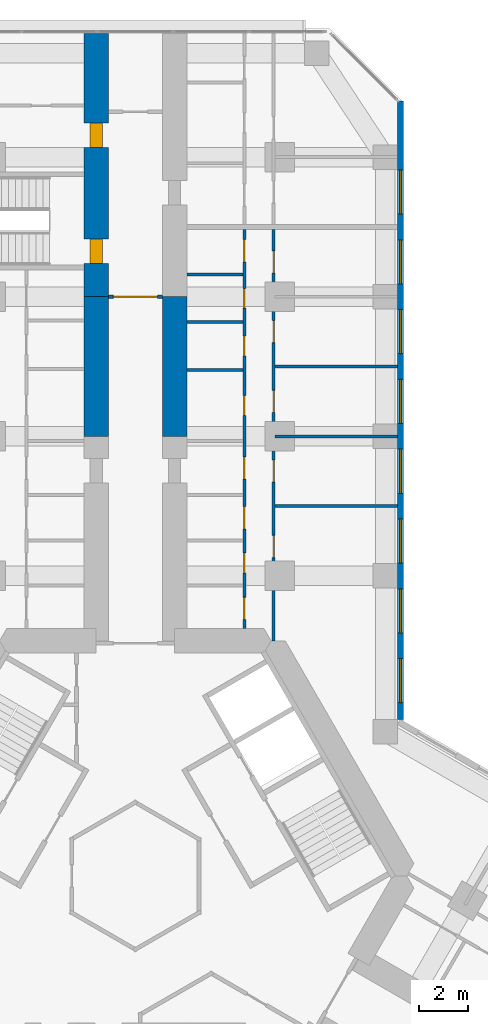
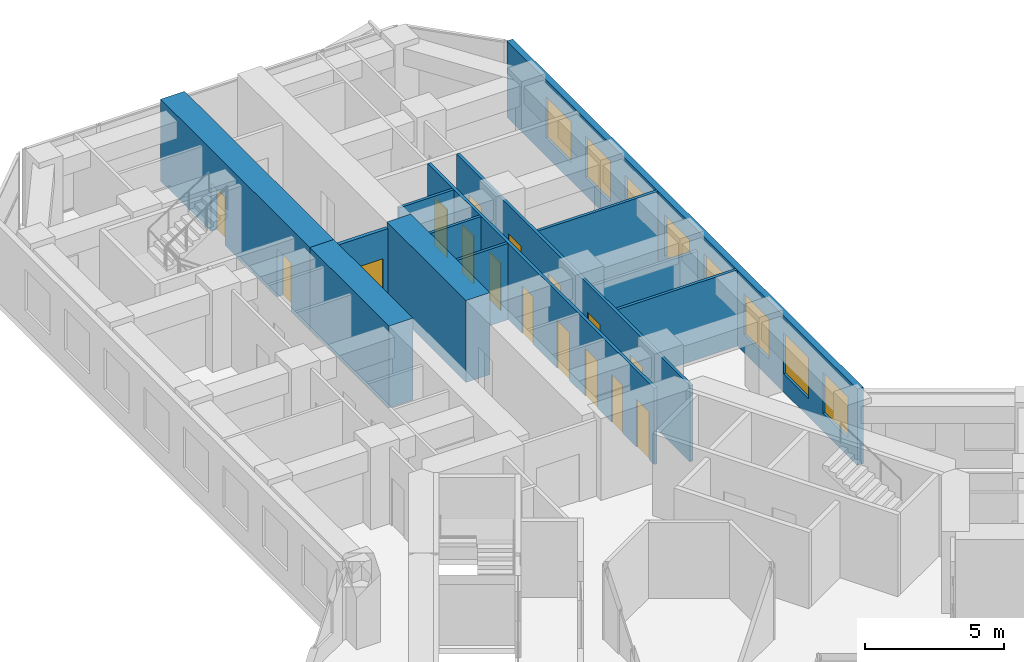
# One storey, part 18 of 21: 16 doors, 13 walls, 8 windows, 24 openings.
"""IFC4 building model written with IfcOpenShell, lengths in metres."""

from ifc_helpers import new_model, si_unit, direction, frame, frame_2d, origin, place, context, subcontext, project, spatial, rectangle, extrude, material, layer, layer_set, type_object, element, fill, save


model = new_model("IFC4")

# Units and contexts
model_context = context("Model", 3, precision=1e-05, world=origin(), true_north=direction((0.0, 1.0)))
body_context = subcontext(model_context, "Body", "Model", "MODEL_VIEW")
ifc_project = project(units=[si_unit("LENGTHUNIT", "METRE"), si_unit("AREAUNIT", "SQUARE_METRE"), si_unit("VOLUMEUNIT", "CUBIC_METRE"), si_unit("PLANEANGLEUNIT", "RADIAN"), si_unit("MASSUNIT", "GRAM", prefix="KILO")], contexts=[model_context])

# Site, building, storey
site_placement = place(None, origin())
site = spatial("IfcSite", under=ifc_project, at=site_placement, CompositionType="ELEMENT")
building_placement = place(site_placement, origin())
building = spatial("IfcBuilding", under=site, at=building_placement, Name="Kosmar Iwan School Tower", CompositionType="ELEMENT")
storey_placement = place(building_placement, frame((0.0, 0.0, 50.199951171875)))
storey = spatial("IfcBuildingStorey", under=building, at=storey_placement, Name="L11", CompositionType="ELEMENT", Elevation=50.199951171875)

# Wall
ifc_material_1 = material(Name="Concrete C50/60", Category="concrete")
ifc_layer_1 = layer(ifc_material_1, 1.0)
ifc_layer_set_1 = layer_set([ifc_layer_1], Name="Corridor buttress wall 1000")
wall_type_1 = type_object("IfcWallType", Name="Corridor buttress wall 1000", PredefinedType="SHEAR", material=ifc_layer_set_1)
wall_1_placement = place(storey_placement, frame((-1.60009765625, 17.949951171875, 0.0), z_axis=(0.0, 0.0, 1.0), x_axis=(0.0, 1.0, 0.0)))
element("IfcWall", 1, at=wall_1_placement, inside=storey, type_object=wall_type_1, Name="Corridor wall AL bay 2", PredefinedType="SHEAR", context=body_context, shape_type="SweptSolid", body=[
    extrude(rectangle(XDim=5.699951171875, YDim=1.0, at=frame_2d((2.85009765625, 0.0))), origin(), (0.0, 0.0, 1.0), 3.60009765625),
])

# Wall, openings, doors
wall_2_placement = place(storey_placement, frame((-1.60009765625, 23.64990234375, 0.0), z_axis=(0.0, 0.0, 1.0), x_axis=(0.0, 1.0, 0.0)))
wall_2 = element("IfcWall", 2, at=wall_2_placement, inside=storey, type_object=wall_type_1, Name="Corridor wall AL bay 3", PredefinedType="SHEAR", context=body_context, shape_type="SweptSolid", body=[
    extrude(rectangle(XDim=10.7451171875, YDim=1.0, at=frame_2d((5.37255859375, 0.0))), origin(), (0.0, 0.0, 1.0), 3.60009765625),
])
opening_1_placement = place(wall_2_placement, frame((6.10009765625, 0.0, 0.0)))
opening_1 = element("IfcOpeningElement", 3, at=opening_1_placement, cuts=wall_2, Name="Opening D1", PredefinedType="OPENING", context=body_context, shape_type="SweptSolid", body=[
    extrude(rectangle(XDim=1.0, YDim=2.10009765625, at=frame_2d((0.5, 1.050048828125))), frame((0.0, 0.511962890625, 0.0), z_axis=(0.0, -1.0, 0.0), x_axis=(1.0, 0.0, 0.0)), (0.0, 0.0, 1.0), 1.02392578125),
])
opening_2_placement = place(wall_2_placement, frame((1.35009765625, 0.0, 0.0)))
opening_2 = element("IfcOpeningElement", 4, at=opening_2_placement, cuts=wall_2, Name="Opening D6", PredefinedType="OPENING", context=body_context, shape_type="SweptSolid", body=[
    extrude(rectangle(XDim=1.0, YDim=2.10009765625, at=frame_2d((0.5, 1.050048828125))), frame((0.0, 0.511962890625, 0.0), z_axis=(0.0, -1.0, 0.0), x_axis=(1.0, 0.0, 0.0)), (0.0, 0.0, 1.0), 1.02392578125),
])
ifc_material_2 = material(Name="Timber fire door in steel frame", Category="steel")
door_type_1 = type_object("IfcDoorType", Name="Flat entrance door 1000x2100", OperationType="SINGLE_SWING_LEFT", PredefinedType="DOOR", material=ifc_material_2)
door_1_placement = place(opening_1_placement, origin())
door_1 = element("IfcDoor", 5, at=door_1_placement, inside=storey, type_object=door_type_1, Name="Flat L11-AL2 entrance door", OperationType="SINGLE_SWING_RIGHT", OverallHeight=2.10009765625, OverallWidth=1.0, PredefinedType="DOOR", context=body_context, shape_type="SweptSolid", body=[
    extrude(rectangle(XDim=1.0, YDim=2.10009765625, at=frame_2d((0.5, 1.050048828125))), frame((0.0, 0.25, 0.0), z_axis=(0.0, -1.0, 0.0), x_axis=(1.0, 0.0, 0.0)), (0.0, 0.0, 1.0), 0.5),
])
fill(opening_1, door_1)
ifc_material_3 = material(Name="Steel fire door", Category="steel")
door_type_2 = type_object("IfcDoorType", Name="Stair door 1000x2100", OperationType="SINGLE_SWING_LEFT", PredefinedType="DOOR", material=ifc_material_3)
door_2_placement = place(opening_2_placement, origin())
door_2 = element("IfcDoor", 6, at=door_2_placement, inside=storey, type_object=door_type_2, Name="Stair WS1 door L11", OperationType="SINGLE_SWING_LEFT", OverallHeight=2.10009765625, OverallWidth=1.0, PredefinedType="DOOR", context=body_context, shape_type="SweptSolid", body=[
    extrude(rectangle(XDim=1.0, YDim=2.10009765625, at=frame_2d((0.5, 1.050048828125))), frame((0.0, 0.25, 0.0), z_axis=(0.0, -1.0, 0.0), x_axis=(1.0, 0.0, 0.0)), (0.0, 0.0, 1.0), 0.5),
])
fill(opening_2, door_2)

# Wall
wall_3_placement = place(storey_placement, frame((1.60009765625, 17.949951171875, 0.0), z_axis=(0.0, 0.0, 1.0), x_axis=(0.0, 1.0, 0.0)))
element("IfcWall", 7, at=wall_3_placement, inside=storey, type_object=wall_type_1, Name="Corridor wall AR bay 2", PredefinedType="SHEAR", context=body_context, shape_type="SweptSolid", body=[
    extrude(rectangle(XDim=5.699951171875, YDim=1.0, at=frame_2d((2.85009765625, 0.0))), origin(), (0.0, 0.0, 1.0), 3.60009765625),
])

# Wall, opening, door
ifc_material_4 = material(Name="Gypsum board on steel studs, fire-rated", Category="steel")
ifc_layer_2 = layer(ifc_material_4, 0.14990234375)
ifc_layer_set_2 = layer_set([ifc_layer_2], Name="Corridor end wall 150")
wall_type_2 = type_object("IfcWallType", Name="Corridor end wall 150", PredefinedType="PARTITIONING", material=ifc_layer_set_2)
wall_4_placement = place(storey_placement, frame((1.10009765625, 23.64990234375, 0.0), z_axis=(0.0, 0.0, 1.0), x_axis=(-1.0, 0.0, 0.0)))
wall_4 = element("IfcWall", 8, at=wall_4_placement, inside=storey, type_object=wall_type_2, Name="Partition L11-A-HW", PredefinedType="PARTITIONING", context=body_context, shape_type="SweptSolid", body=[
    extrude(rectangle(XDim=2.2001953125, YDim=0.14990234375, at=frame_2d((1.10009765625, 0.0))), origin(), (0.0, 0.0, 1.0), 3.35009765625),
])
opening_3_placement = place(wall_4_placement, frame((0.199951171875, 0.0, 0.0)))
opening_3 = element("IfcOpeningElement", 9, at=opening_3_placement, cuts=wall_4, Name="Opening D9", PredefinedType="OPENING", context=body_context, shape_type="SweptSolid", body=[
    extrude(rectangle(XDim=1.800048828125, YDim=2.10009765625, at=frame_2d((0.89990234375, 1.050048828125))), frame((0.0, 0.0869140625, 0.0), z_axis=(0.0, -1.0, 0.0), x_axis=(1.0, 0.0, 0.0)), (0.0, 0.0, 1.0), 0.173828125),
])
ifc_material_5 = material(Name="Steel framed glazed smoke door", Category="steel")
door_type_3 = type_object("IfcDoorType", Name="Corridor smoke door pair 1800x2100", OperationType="DOUBLE_DOOR_DOUBLE_SWING", PredefinedType="DOOR", material=ifc_material_5)
door_3_placement = place(opening_3_placement, origin())
door_3 = element("IfcDoor", 10, at=door_3_placement, inside=storey, type_object=door_type_3, Name="Entrance vestibule smoke doors L11-A", OperationType="DOUBLE_DOOR_DOUBLE_SWING", OverallHeight=2.10009765625, OverallWidth=1.800048828125, PredefinedType="DOOR", context=body_context, shape_type="SweptSolid", body=[
    extrude(rectangle(XDim=1.800048828125, YDim=2.10009765625, at=frame_2d((0.89990234375, 1.050048828125))), frame((0.0, 0.02490234375, 0.0), z_axis=(0.0, -1.0, 0.0), x_axis=(1.0, 0.0, 0.0)), (0.0, 0.0, 1.0), 0.050048828125),
])
fill(opening_3, door_3)

# Wall, openings, doors
ifc_material_6 = material(Name="Gypsum board on steel studs", Category="steel")
ifc_layer_3 = layer(ifc_material_6, 0.1201171875)
ifc_layer_set_3 = layer_set([ifc_layer_3], Name="Dwelling partition 120")
wall_type_3 = type_object("IfcWallType", Name="Dwelling partition 120", PredefinedType="PARTITIONING", material=ifc_layer_set_3)
wall_5_placement = place(storey_placement, frame((4.449951171875, 10.10009765625, 0.0), z_axis=(0.0, 0.0, 1.0), x_axis=(0.0, 1.0, 0.0)))
wall_5 = element("IfcWall", 11, at=wall_5_placement, inside=storey, type_object=wall_type_3, Name="Partition L11-AR1-W1", PredefinedType="PARTITIONING", context=body_context, shape_type="SweptSolid", body=[
    extrude(rectangle(XDim=16.2998046875, YDim=0.1201171875, at=frame_2d((8.14990234375, 0.0))), origin(), (0.0, 0.0, 1.0), 3.35009765625),
])
opening_4_placement = place(wall_5_placement, frame((0.375, 0.0, 0.0)))
opening_4 = element("IfcOpeningElement", 12, at=opening_4_placement, cuts=wall_5, Name="Opening D2", PredefinedType="OPENING", context=body_context, shape_type="SweptSolid", body=[
    extrude(rectangle(XDim=0.89990234375, YDim=2.10009765625, at=frame_2d((0.449951171875, 1.050048828125))), frame((0.0, 0.072021484375, 0.0), z_axis=(0.0, -1.0, 0.0), x_axis=(1.0, 0.0, 0.0)), (0.0, 0.0, 1.0), 0.14404296875),
])
opening_5_placement = place(wall_5_placement, frame((2.27490234375, 0.0, 0.0)))
opening_5 = element("IfcOpeningElement", 13, at=opening_5_placement, cuts=wall_5, Name="Opening D3", PredefinedType="OPENING", context=body_context, shape_type="SweptSolid", body=[
    extrude(rectangle(XDim=0.800048828125, YDim=2.10009765625, at=frame_2d((0.39990234375, 1.050048828125))), frame((0.0, 0.072021484375, 0.0), z_axis=(0.0, -1.0, 0.0), x_axis=(1.0, 0.0, 0.0)), (0.0, 0.0, 1.0), 0.14404296875),
])
opening_6_placement = place(wall_5_placement, frame((4.074951171875, 0.0, 0.0)))
opening_6 = element("IfcOpeningElement", 14, at=opening_6_placement, cuts=wall_5, Name="Opening D2", PredefinedType="OPENING", context=body_context, shape_type="SweptSolid", body=[
    extrude(rectangle(XDim=0.89990234375, YDim=2.10009765625, at=frame_2d((0.449951171875, 1.050048828125))), frame((0.0, 0.072021484375, 0.0), z_axis=(0.0, -1.0, 0.0), x_axis=(1.0, 0.0, 0.0)), (0.0, 0.0, 1.0), 0.14404296875),
])
opening_7_placement = place(wall_5_placement, frame((6.10009765625, 0.0, 0.0)))
opening_7 = element("IfcOpeningElement", 15, at=opening_7_placement, cuts=wall_5, Name="Opening D2", PredefinedType="OPENING", context=body_context, shape_type="SweptSolid", body=[
    extrude(rectangle(XDim=0.89990234375, YDim=2.10009765625, at=frame_2d((0.449951171875, 1.050048828125))), frame((0.0, 0.072021484375, 0.0), z_axis=(0.0, -1.0, 0.0), x_axis=(1.0, 0.0, 0.0)), (0.0, 0.0, 1.0), 0.14404296875),
])
opening_8_placement = place(wall_5_placement, frame((8.708251953125, 0.0, 0.0)))
opening_8 = element("IfcOpeningElement", 16, at=opening_8_placement, cuts=wall_5, Name="Opening D3", PredefinedType="OPENING", context=body_context, shape_type="SweptSolid", body=[
    extrude(rectangle(XDim=0.800048828125, YDim=2.10009765625, at=frame_2d((0.39990234375, 1.050048828125))), frame((0.0, 0.072021484375, 0.0), z_axis=(0.0, -1.0, 0.0), x_axis=(1.0, 0.0, 0.0)), (0.0, 0.0, 1.0), 0.14404296875),
])
opening_9_placement = place(wall_5_placement, frame((11.138916015625, 0.0, 0.0)))
opening_9 = element("IfcOpeningElement", 17, at=opening_9_placement, cuts=wall_5, Name="Opening D3", PredefinedType="OPENING", context=body_context, shape_type="SweptSolid", body=[
    extrude(rectangle(XDim=0.800048828125, YDim=2.10009765625, at=frame_2d((0.39990234375, 1.050048828125))), frame((0.0, 0.072021484375, 0.0), z_axis=(0.0, -1.0, 0.0), x_axis=(1.0, 0.0, 0.0)), (0.0, 0.0, 1.0), 0.14404296875),
])
opening_10_placement = place(wall_5_placement, frame((13.083251953125, 0.0, 0.0)))
opening_10 = element("IfcOpeningElement", 18, at=opening_10_placement, cuts=wall_5, Name="Opening D3", PredefinedType="OPENING", context=body_context, shape_type="SweptSolid", body=[
    extrude(rectangle(XDim=0.800048828125, YDim=2.10009765625, at=frame_2d((0.39990234375, 1.050048828125))), frame((0.0, 0.072021484375, 0.0), z_axis=(0.0, -1.0, 0.0), x_axis=(1.0, 0.0, 0.0)), (0.0, 0.0, 1.0), 0.14404296875),
])
opening_11_placement = place(wall_5_placement, frame((14.977783203125, 0.0, 0.0)))
opening_11 = element("IfcOpeningElement", 19, at=opening_11_placement, cuts=wall_5, Name="Opening D2", PredefinedType="OPENING", context=body_context, shape_type="SweptSolid", body=[
    extrude(rectangle(XDim=0.89990234375, YDim=2.10009765625, at=frame_2d((0.449951171875, 1.050048828125))), frame((0.0, 0.072021484375, 0.0), z_axis=(0.0, -1.0, 0.0), x_axis=(1.0, 0.0, 0.0)), (0.0, 0.0, 1.0), 0.14404296875),
])
ifc_material_7 = material(Name="Timber door in timber frame", Category="wood")
door_type_4 = type_object("IfcDoorType", Name="Internal door 900x2100", OperationType="SINGLE_SWING_LEFT", PredefinedType="DOOR", material=ifc_material_7)
door_4_placement = place(opening_4_placement, origin())
door_4 = element("IfcDoor", 20, at=door_4_placement, inside=storey, type_object=door_type_4, Name="Dressing room door L11-AR1-S1", OperationType="SINGLE_SWING_LEFT", OverallHeight=2.10009765625, OverallWidth=0.89990234375, PredefinedType="DOOR", context=body_context, shape_type="SweptSolid", body=[
    extrude(rectangle(XDim=0.89990234375, YDim=2.10009765625, at=frame_2d((0.449951171875, 1.050048828125))), frame((0.0, 0.02490234375, 0.0), z_axis=(0.0, -1.0, 0.0), x_axis=(1.0, 0.0, 0.0)), (0.0, 0.0, 1.0), 0.050048828125),
])
fill(opening_4, door_4)
door_5_placement = place(opening_6_placement, origin())
door_5 = element("IfcDoor", 21, at=door_5_placement, inside=storey, type_object=door_type_4, Name="Pantry door L11-AR1-S3", OperationType="SINGLE_SWING_LEFT", OverallHeight=2.10009765625, OverallWidth=0.89990234375, PredefinedType="DOOR", context=body_context, shape_type="SweptSolid", body=[
    extrude(rectangle(XDim=0.89990234375, YDim=2.10009765625, at=frame_2d((0.449951171875, 1.050048828125))), frame((0.0, 0.02490234375, 0.0), z_axis=(0.0, -1.0, 0.0), x_axis=(1.0, 0.0, 0.0)), (0.0, 0.0, 1.0), 0.050048828125),
])
fill(opening_6, door_5)
door_6_placement = place(opening_7_placement, origin())
door_6 = element("IfcDoor", 22, at=door_6_placement, inside=storey, type_object=door_type_4, Name="Entrance hall door L11-AR1-S4", OperationType="SINGLE_SWING_RIGHT", OverallHeight=2.10009765625, OverallWidth=0.89990234375, PredefinedType="DOOR", context=body_context, shape_type="SweptSolid", body=[
    extrude(rectangle(XDim=0.89990234375, YDim=2.10009765625, at=frame_2d((0.449951171875, 1.050048828125))), frame((0.0, 0.02490234375, 0.0), z_axis=(0.0, -1.0, 0.0), x_axis=(1.0, 0.0, 0.0)), (0.0, 0.0, 1.0), 0.050048828125),
])
fill(opening_7, door_6)
door_7_placement = place(opening_11_placement, origin())
door_7 = element("IfcDoor", 23, at=door_7_placement, inside=storey, type_object=door_type_4, Name="Utility room door L11-AR1-S8", OperationType="SINGLE_SWING_RIGHT", OverallHeight=2.10009765625, OverallWidth=0.89990234375, PredefinedType="DOOR", context=body_context, shape_type="SweptSolid", body=[
    extrude(rectangle(XDim=0.89990234375, YDim=2.10009765625, at=frame_2d((0.449951171875, 1.050048828125))), frame((0.0, 0.02490234375, 0.0), z_axis=(0.0, -1.0, 0.0), x_axis=(1.0, 0.0, 0.0)), (0.0, 0.0, 1.0), 0.050048828125),
])
fill(opening_11, door_7)
ifc_material_8 = material(Name="Timber door in timber frame", Category="wood")
door_type_5 = type_object("IfcDoorType", Name="Sanitary room door 800x2100", OperationType="SINGLE_SWING_LEFT", PredefinedType="DOOR", material=ifc_material_8)
door_8_placement = place(opening_5_placement, origin())
door_8 = element("IfcDoor", 24, at=door_8_placement, inside=storey, type_object=door_type_5, Name="Store door L11-AR1-S2", OperationType="SINGLE_SWING_RIGHT", OverallHeight=2.10009765625, OverallWidth=0.800048828125, PredefinedType="DOOR", context=body_context, shape_type="SweptSolid", body=[
    extrude(rectangle(XDim=0.800048828125, YDim=2.10009765625, at=frame_2d((0.39990234375, 1.050048828125))), frame((0.0, 0.02490234375, 0.0), z_axis=(0.0, -1.0, 0.0), x_axis=(1.0, 0.0, 0.0)), (0.0, 0.0, 1.0), 0.050048828125),
])
fill(opening_5, door_8)
door_9_placement = place(opening_8_placement, origin())
door_9 = element("IfcDoor", 25, at=door_9_placement, inside=storey, type_object=door_type_5, Name="Bathroom door L11-AR1-S5", OperationType="SINGLE_SWING_LEFT", OverallHeight=2.10009765625, OverallWidth=0.800048828125, PredefinedType="DOOR", context=body_context, shape_type="SweptSolid", body=[
    extrude(rectangle(XDim=0.800048828125, YDim=2.10009765625, at=frame_2d((0.39990234375, 1.050048828125))), frame((0.0, 0.02490234375, 0.0), z_axis=(0.0, -1.0, 0.0), x_axis=(1.0, 0.0, 0.0)), (0.0, 0.0, 1.0), 0.050048828125),
])
fill(opening_8, door_9)
door_10_placement = place(opening_9_placement, origin())
door_10 = element("IfcDoor", 26, at=door_10_placement, inside=storey, type_object=door_type_5, Name="Shower room door L11-AR1-S6", OperationType="SINGLE_SWING_RIGHT", OverallHeight=2.10009765625, OverallWidth=0.800048828125, PredefinedType="DOOR", context=body_context, shape_type="SweptSolid", body=[
    extrude(rectangle(XDim=0.800048828125, YDim=2.10009765625, at=frame_2d((0.39990234375, 1.050048828125))), frame((0.0, 0.02490234375, 0.0), z_axis=(0.0, -1.0, 0.0), x_axis=(1.0, 0.0, 0.0)), (0.0, 0.0, 1.0), 0.050048828125),
])
fill(opening_9, door_10)
door_11_placement = place(opening_10_placement, origin())
door_11 = element("IfcDoor", 27, at=door_11_placement, inside=storey, type_object=door_type_5, Name="WC door L11-AR1-S7", OperationType="SINGLE_SWING_LEFT", OverallHeight=2.10009765625, OverallWidth=0.800048828125, PredefinedType="DOOR", context=body_context, shape_type="SweptSolid", body=[
    extrude(rectangle(XDim=0.800048828125, YDim=2.10009765625, at=frame_2d((0.39990234375, 1.050048828125))), frame((0.0, 0.02490234375, 0.0), z_axis=(0.0, -1.0, 0.0), x_axis=(1.0, 0.0, 0.0)), (0.0, 0.0, 1.0), 0.050048828125),
])
fill(opening_10, door_11)

wall_6_placement = place(storey_placement, frame((5.64990234375, 9.60009765625, 0.0), z_axis=(0.0, 0.0, 1.0), x_axis=(0.0, 1.0, 0.0)))
wall_6 = element("IfcWall", 28, at=wall_6_placement, inside=storey, type_object=wall_type_3, Name="Partition L11-AR1-W2", PredefinedType="PARTITIONING", context=body_context, shape_type="SweptSolid", body=[
    extrude(rectangle(XDim=16.7998046875, YDim=0.1201171875, at=frame_2d((8.39990234375, 0.0))), origin(), (0.0, 0.0, 1.0), 3.35009765625),
])
opening_12_placement = place(wall_6_placement, frame((3.39990234375, 0.0, 0.0)))
opening_12 = element("IfcOpeningElement", 29, at=opening_12_placement, cuts=wall_6, Name="Opening D2", PredefinedType="OPENING", context=body_context, shape_type="SweptSolid", body=[
    extrude(rectangle(XDim=0.89990234375, YDim=2.10009765625, at=frame_2d((0.449951171875, 1.050048828125))), frame((0.0, 0.072021484375, 0.0), z_axis=(0.0, -1.0, 0.0), x_axis=(1.0, 0.0, 0.0)), (0.0, 0.0, 1.0), 0.14404296875),
])
opening_13_placement = place(wall_6_placement, frame((6.47509765625, 0.0, 0.0)))
opening_13 = element("IfcOpeningElement", 30, at=opening_13_placement, cuts=wall_6, Name="Opening D2", PredefinedType="OPENING", context=body_context, shape_type="SweptSolid", body=[
    extrude(rectangle(XDim=0.89990234375, YDim=2.10009765625, at=frame_2d((0.449951171875, 1.050048828125))), frame((0.0, 0.072021484375, 0.0), z_axis=(0.0, -1.0, 0.0), x_axis=(1.0, 0.0, 0.0)), (0.0, 0.0, 1.0), 0.14404296875),
])
opening_14_placement = place(wall_6_placement, frame((9.324951171875, 0.0, 0.0)))
opening_14 = element("IfcOpeningElement", 31, at=opening_14_placement, cuts=wall_6, Name="Opening D2", PredefinedType="OPENING", context=body_context, shape_type="SweptSolid", body=[
    extrude(rectangle(XDim=0.89990234375, YDim=2.10009765625, at=frame_2d((0.449951171875, 1.050048828125))), frame((0.0, 0.072021484375, 0.0), z_axis=(0.0, -1.0, 0.0), x_axis=(1.0, 0.0, 0.0)), (0.0, 0.0, 1.0), 0.14404296875),
])
opening_15_placement = place(wall_6_placement, frame((12.175048828125, 0.0, 0.0)))
opening_15 = element("IfcOpeningElement", 32, at=opening_15_placement, cuts=wall_6, Name="Opening D2", PredefinedType="OPENING", context=body_context, shape_type="SweptSolid", body=[
    extrude(rectangle(XDim=0.89990234375, YDim=2.10009765625, at=frame_2d((0.449951171875, 1.050048828125))), frame((0.0, 0.072021484375, 0.0), z_axis=(0.0, -1.0, 0.0), x_axis=(1.0, 0.0, 0.0)), (0.0, 0.0, 1.0), 0.14404296875),
])
opening_16_placement = place(wall_6_placement, frame((15.02490234375, 0.0, 0.0)))
opening_16 = element("IfcOpeningElement", 33, at=opening_16_placement, cuts=wall_6, Name="Opening D2", PredefinedType="OPENING", context=body_context, shape_type="SweptSolid", body=[
    extrude(rectangle(XDim=0.89990234375, YDim=2.10009765625, at=frame_2d((0.449951171875, 1.050048828125))), frame((0.0, 0.072021484375, 0.0), z_axis=(0.0, -1.0, 0.0), x_axis=(1.0, 0.0, 0.0)), (0.0, 0.0, 1.0), 0.14404296875),
])
door_12_placement = place(opening_12_placement, origin())
door_12 = element("IfcDoor", 34, at=door_12_placement, inside=storey, type_object=door_type_4, Name="Living room and kitchen door L11-AR1-F1", OperationType="SINGLE_SWING_LEFT", OverallHeight=2.10009765625, OverallWidth=0.89990234375, PredefinedType="DOOR", context=body_context, shape_type="SweptSolid", body=[
    extrude(rectangle(XDim=0.89990234375, YDim=2.10009765625, at=frame_2d((0.449951171875, 1.050048828125))), frame((0.0, 0.02490234375, 0.0), z_axis=(0.0, -1.0, 0.0), x_axis=(1.0, 0.0, 0.0)), (0.0, 0.0, 1.0), 0.050048828125),
])
fill(opening_12, door_12)
door_13_placement = place(opening_13_placement, origin())
door_13 = element("IfcDoor", 35, at=door_13_placement, inside=storey, type_object=door_type_4, Name="Bedroom 1 door L11-AR1-F2", OperationType="SINGLE_SWING_LEFT", OverallHeight=2.10009765625, OverallWidth=0.89990234375, PredefinedType="DOOR", context=body_context, shape_type="SweptSolid", body=[
    extrude(rectangle(XDim=0.89990234375, YDim=2.10009765625, at=frame_2d((0.449951171875, 1.050048828125))), frame((0.0, 0.02490234375, 0.0), z_axis=(0.0, -1.0, 0.0), x_axis=(1.0, 0.0, 0.0)), (0.0, 0.0, 1.0), 0.050048828125),
])
fill(opening_13, door_13)
door_14_placement = place(opening_14_placement, origin())
door_14 = element("IfcDoor", 36, at=door_14_placement, inside=storey, type_object=door_type_4, Name="Bedroom 2 door L11-AR1-F3", OperationType="SINGLE_SWING_RIGHT", OverallHeight=2.10009765625, OverallWidth=0.89990234375, PredefinedType="DOOR", context=body_context, shape_type="SweptSolid", body=[
    extrude(rectangle(XDim=0.89990234375, YDim=2.10009765625, at=frame_2d((0.449951171875, 1.050048828125))), frame((0.0, 0.02490234375, 0.0), z_axis=(0.0, -1.0, 0.0), x_axis=(1.0, 0.0, 0.0)), (0.0, 0.0, 1.0), 0.050048828125),
])
fill(opening_14, door_14)
door_15_placement = place(opening_15_placement, origin())
door_15 = element("IfcDoor", 37, at=door_15_placement, inside=storey, type_object=door_type_4, Name="Bedroom 3 door L11-AR1-F4", OperationType="SINGLE_SWING_RIGHT", OverallHeight=2.10009765625, OverallWidth=0.89990234375, PredefinedType="DOOR", context=body_context, shape_type="SweptSolid", body=[
    extrude(rectangle(XDim=0.89990234375, YDim=2.10009765625, at=frame_2d((0.449951171875, 1.050048828125))), frame((0.0, 0.02490234375, 0.0), z_axis=(0.0, -1.0, 0.0), x_axis=(1.0, 0.0, 0.0)), (0.0, 0.0, 1.0), 0.050048828125),
])
fill(opening_15, door_15)
door_16_placement = place(opening_16_placement, origin())
door_16 = element("IfcDoor", 38, at=door_16_placement, inside=storey, type_object=door_type_4, Name="Bedroom 4 door L11-AR1-F5", OperationType="SINGLE_SWING_RIGHT", OverallHeight=2.10009765625, OverallWidth=0.89990234375, PredefinedType="DOOR", context=body_context, shape_type="SweptSolid", body=[
    extrude(rectangle(XDim=0.89990234375, YDim=2.10009765625, at=frame_2d((0.449951171875, 1.050048828125))), frame((0.0, 0.02490234375, 0.0), z_axis=(0.0, -1.0, 0.0), x_axis=(1.0, 0.0, 0.0)), (0.0, 0.0, 1.0), 0.050048828125),
])
fill(opening_16, door_16)

# Walls
wall_7_placement = place(storey_placement, frame((5.7099609375, 15.10009765625, 0.0), z_axis=(0.0, 0.0, 1.0), x_axis=(1.0, 0.0, 0.0)))
element("IfcWall", 39, at=wall_7_placement, inside=storey, type_object=wall_type_3, Name="Partition L11-AR1-X1", PredefinedType="PARTITIONING", context=body_context, shape_type="SweptSolid", body=[
    extrude(rectangle(XDim=4.989990234375, YDim=0.1201171875, at=frame_2d((2.4951171875, 0.0))), origin(), (0.0, 0.0, 1.0), 3.35009765625),
])
wall_8_placement = place(storey_placement, frame((5.7099609375, 17.949951171875, 0.0), z_axis=(0.0, 0.0, 1.0), x_axis=(1.0, 0.0, 0.0)))
element("IfcWall", 40, at=wall_8_placement, inside=storey, type_object=wall_type_3, Name="Partition L11-AR1-X2", PredefinedType="PARTITIONING", context=body_context, shape_type="SweptSolid", body=[
    extrude(rectangle(XDim=4.989990234375, YDim=0.1201171875, at=frame_2d((2.4951171875, 0.0))), origin(), (0.0, 0.0, 1.0), 2.449951171875),
])
wall_9_placement = place(storey_placement, frame((5.7099609375, 20.800048828125, 0.0), z_axis=(0.0, 0.0, 1.0), x_axis=(1.0, 0.0, 0.0)))
element("IfcWall", 41, at=wall_9_placement, inside=storey, type_object=wall_type_3, Name="Partition L11-AR1-X3", PredefinedType="PARTITIONING", context=body_context, shape_type="SweptSolid", body=[
    extrude(rectangle(XDim=4.989990234375, YDim=0.1201171875, at=frame_2d((2.4951171875, 0.0))), origin(), (0.0, 0.0, 1.0), 3.35009765625),
])
for number, where, z_axis, x_axis, name in (
    (42, (2.10009765625, 20.666748046875, 0.0), (0.0, 0.0, 1.0), (1.0, 0.0, 0.0), "Partition L11-AR1-Y5"),
    (43, (2.10009765625, 22.611083984375, 0.0), (0.0, 0.0, 1.0), (1.0, 0.0, 0.0), "Partition L11-AR1-Y6"),
    (44, (2.10009765625, 24.5556640625, 0.0), (0.0, 0.0, 1.0), (1.0, 0.0, 0.0), "Partition L11-AR1-Y7"),
):
    element("IfcWall", number, at=place(storey_placement, frame(where, z_axis=z_axis, x_axis=x_axis)), inside=storey, type_object=wall_type_3, Name=name, PredefinedType="PARTITIONING", context=body_context, shape_type="SweptSolid", body=[
        extrude(rectangle(XDim=2.289794921875, YDim=0.1201171875, at=frame_2d((1.14501953125, 0.0))), origin(), (0.0, 0.0, 1.0), 3.35009765625),
    ])

# Wall, openings, windows
ifc_material_9 = material(Name="Black aluminium rainscreen on insulated framing", Category="aluminium")
ifc_layer_4 = layer(ifc_material_9, 0.25)
ifc_layer_set_4 = layer_set([ifc_layer_4], Name="External wall rainscreen 250")
wall_type_4 = type_object("IfcWallType", Name="External wall rainscreen 250", PredefinedType="SOLIDWALL", material=ifc_layer_set_4)
wall_10_placement = place(storey_placement, frame((10.824951171875, 6.39404296875, 0.0), z_axis=(0.0, 0.0, 1.0), x_axis=(0.0, 1.0, 0.0)))
wall_10 = element("IfcWall", 45, at=wall_10_placement, inside=storey, type_object=wall_type_4, Name="External wall AR L11", PredefinedType="SOLIDWALL", context=body_context, shape_type="SweptSolid", body=[
    extrude(rectangle(XDim=25.2412109375, YDim=0.25, at=frame_2d((12.62060546875, 0.0))), origin(), (0.0, 0.0, 1.0), 3.35009765625),
])
opening_17_placement = place(wall_10_placement, frame((0.680908203125, 0.0, 0.800048828125)))
opening_17 = element("IfcOpeningElement", 46, at=opening_17_placement, cuts=wall_10, Name="Opening W1", PredefinedType="OPENING", context=body_context, shape_type="SweptSolid", body=[
    extrude(rectangle(XDim=1.800048828125, YDim=1.800048828125, at=frame_2d((0.89990234375, 0.89990234375))), frame((0.0, 0.136962890625, 0.0), z_axis=(0.0, -1.0, 0.0), x_axis=(1.0, 0.0, 0.0)), (0.0, 0.0, 1.0), 0.27392578125),
])
opening_18_placement = place(wall_10_placement, frame((3.53076171875, 0.0, 0.800048828125)))
opening_18 = element("IfcOpeningElement", 47, at=opening_18_placement, cuts=wall_10, Name="Opening W1", PredefinedType="OPENING", context=body_context, shape_type="SweptSolid", body=[
    extrude(rectangle(XDim=1.800048828125, YDim=1.800048828125, at=frame_2d((0.89990234375, 0.89990234375))), frame((0.0, 0.136962890625, 0.0), z_axis=(0.0, -1.0, 0.0), x_axis=(1.0, 0.0, 0.0)), (0.0, 0.0, 1.0), 0.27392578125),
])
opening_19_placement = place(wall_10_placement, frame((6.380859375, 0.0, 0.800048828125)))
opening_19 = element("IfcOpeningElement", 48, at=opening_19_placement, cuts=wall_10, Name="Opening W1", PredefinedType="OPENING", context=body_context, shape_type="SweptSolid", body=[
    extrude(rectangle(XDim=1.800048828125, YDim=1.800048828125, at=frame_2d((0.89990234375, 0.89990234375))), frame((0.0, 0.136962890625, 0.0), z_axis=(0.0, -1.0, 0.0), x_axis=(1.0, 0.0, 0.0)), (0.0, 0.0, 1.0), 0.27392578125),
])
opening_20_placement = place(wall_10_placement, frame((9.23095703125, 0.0, 0.800048828125)))
opening_20 = element("IfcOpeningElement", 49, at=opening_20_placement, cuts=wall_10, Name="Opening W1", PredefinedType="OPENING", context=body_context, shape_type="SweptSolid", body=[
    extrude(rectangle(XDim=1.800048828125, YDim=1.800048828125, at=frame_2d((0.89990234375, 0.89990234375))), frame((0.0, 0.136962890625, 0.0), z_axis=(0.0, -1.0, 0.0), x_axis=(1.0, 0.0, 0.0)), (0.0, 0.0, 1.0), 0.27392578125),
])
opening_21_placement = place(wall_10_placement, frame((12.080810546875, 0.0, 0.800048828125)))
opening_21 = element("IfcOpeningElement", 50, at=opening_21_placement, cuts=wall_10, Name="Opening W1", PredefinedType="OPENING", context=body_context, shape_type="SweptSolid", body=[
    extrude(rectangle(XDim=1.800048828125, YDim=1.800048828125, at=frame_2d((0.89990234375, 0.89990234375))), frame((0.0, 0.136962890625, 0.0), z_axis=(0.0, -1.0, 0.0), x_axis=(1.0, 0.0, 0.0)), (0.0, 0.0, 1.0), 0.27392578125),
])
opening_22_placement = place(wall_10_placement, frame((14.930908203125, 0.0, 0.800048828125)))
opening_22 = element("IfcOpeningElement", 51, at=opening_22_placement, cuts=wall_10, Name="Opening W1", PredefinedType="OPENING", context=body_context, shape_type="SweptSolid", body=[
    extrude(rectangle(XDim=1.800048828125, YDim=1.800048828125, at=frame_2d((0.89990234375, 0.89990234375))), frame((0.0, 0.136962890625, 0.0), z_axis=(0.0, -1.0, 0.0), x_axis=(1.0, 0.0, 0.0)), (0.0, 0.0, 1.0), 0.27392578125),
])
opening_23_placement = place(wall_10_placement, frame((17.78076171875, 0.0, 0.800048828125)))
opening_23 = element("IfcOpeningElement", 52, at=opening_23_placement, cuts=wall_10, Name="Opening W1", PredefinedType="OPENING", context=body_context, shape_type="SweptSolid", body=[
    extrude(rectangle(XDim=1.800048828125, YDim=1.800048828125, at=frame_2d((0.89990234375, 0.89990234375))), frame((0.0, 0.136962890625, 0.0), z_axis=(0.0, -1.0, 0.0), x_axis=(1.0, 0.0, 0.0)), (0.0, 0.0, 1.0), 0.27392578125),
])
opening_24_placement = place(wall_10_placement, frame((20.630859375, 0.0, 0.800048828125)))
opening_24 = element("IfcOpeningElement", 53, at=opening_24_placement, cuts=wall_10, Name="Opening W1", PredefinedType="OPENING", context=body_context, shape_type="SweptSolid", body=[
    extrude(rectangle(XDim=1.800048828125, YDim=1.800048828125, at=frame_2d((0.89990234375, 0.89990234375))), frame((0.0, 0.136962890625, 0.0), z_axis=(0.0, -1.0, 0.0), x_axis=(1.0, 0.0, 0.0)), (0.0, 0.0, 1.0), 0.27392578125),
])
ifc_material_10 = material(Name="Black aluminium frame with dark triple glazing", Category="aluminium")
window_type = type_object("IfcWindowType", Name="Window 1800x1800", PartitioningType="SINGLE_PANEL", PredefinedType="WINDOW", material=ifc_material_10)
window_1_placement = place(opening_17_placement, origin())
window_1 = element("IfcWindow", 54, at=window_1_placement, inside=storey, type_object=window_type, Name="Window AR L11 -1", OverallHeight=1.800048828125, OverallWidth=1.800048828125, PartitioningType="SINGLE_PANEL", PredefinedType="WINDOW", context=body_context, shape_type="SweptSolid", body=[
    extrude(rectangle(XDim=1.800048828125, YDim=1.800048828125, at=frame_2d((0.89990234375, 0.89990234375))), frame((0.0, 0.030029296875, 0.0), z_axis=(0.0, -1.0, 0.0), x_axis=(1.0, 0.0, 0.0)), (0.0, 0.0, 1.0), 0.06005859375),
])
fill(opening_17, window_1)
window_2_placement = place(opening_18_placement, origin())
window_2 = element("IfcWindow", 55, at=window_2_placement, inside=storey, type_object=window_type, Name="Window AR L11 0", OverallHeight=1.800048828125, OverallWidth=1.800048828125, PartitioningType="SINGLE_PANEL", PredefinedType="WINDOW", context=body_context, shape_type="SweptSolid", body=[
    extrude(rectangle(XDim=1.800048828125, YDim=1.800048828125, at=frame_2d((0.89990234375, 0.89990234375))), frame((0.0, 0.030029296875, 0.0), z_axis=(0.0, -1.0, 0.0), x_axis=(1.0, 0.0, 0.0)), (0.0, 0.0, 1.0), 0.06005859375),
])
fill(opening_18, window_2)
window_3_placement = place(opening_19_placement, origin())
window_3 = element("IfcWindow", 56, at=window_3_placement, inside=storey, type_object=window_type, Name="Window AR L11 1", OverallHeight=1.800048828125, OverallWidth=1.800048828125, PartitioningType="SINGLE_PANEL", PredefinedType="WINDOW", context=body_context, shape_type="SweptSolid", body=[
    extrude(rectangle(XDim=1.800048828125, YDim=1.800048828125, at=frame_2d((0.89990234375, 0.89990234375))), frame((0.0, 0.030029296875, 0.0), z_axis=(0.0, -1.0, 0.0), x_axis=(1.0, 0.0, 0.0)), (0.0, 0.0, 1.0), 0.06005859375),
])
fill(opening_19, window_3)
window_4_placement = place(opening_20_placement, origin())
window_4 = element("IfcWindow", 57, at=window_4_placement, inside=storey, type_object=window_type, Name="Window AR L11 2", OverallHeight=1.800048828125, OverallWidth=1.800048828125, PartitioningType="SINGLE_PANEL", PredefinedType="WINDOW", context=body_context, shape_type="SweptSolid", body=[
    extrude(rectangle(XDim=1.800048828125, YDim=1.800048828125, at=frame_2d((0.89990234375, 0.89990234375))), frame((0.0, 0.030029296875, 0.0), z_axis=(0.0, -1.0, 0.0), x_axis=(1.0, 0.0, 0.0)), (0.0, 0.0, 1.0), 0.06005859375),
])
fill(opening_20, window_4)
window_5_placement = place(opening_21_placement, origin())
window_5 = element("IfcWindow", 58, at=window_5_placement, inside=storey, type_object=window_type, Name="Window AR L11 3", OverallHeight=1.800048828125, OverallWidth=1.800048828125, PartitioningType="SINGLE_PANEL", PredefinedType="WINDOW", context=body_context, shape_type="SweptSolid", body=[
    extrude(rectangle(XDim=1.800048828125, YDim=1.800048828125, at=frame_2d((0.89990234375, 0.89990234375))), frame((0.0, 0.030029296875, 0.0), z_axis=(0.0, -1.0, 0.0), x_axis=(1.0, 0.0, 0.0)), (0.0, 0.0, 1.0), 0.06005859375),
])
fill(opening_21, window_5)
window_6_placement = place(opening_22_placement, origin())
window_6 = element("IfcWindow", 59, at=window_6_placement, inside=storey, type_object=window_type, Name="Window AR L11 4", OverallHeight=1.800048828125, OverallWidth=1.800048828125, PartitioningType="SINGLE_PANEL", PredefinedType="WINDOW", context=body_context, shape_type="SweptSolid", body=[
    extrude(rectangle(XDim=1.800048828125, YDim=1.800048828125, at=frame_2d((0.89990234375, 0.89990234375))), frame((0.0, 0.030029296875, 0.0), z_axis=(0.0, -1.0, 0.0), x_axis=(1.0, 0.0, 0.0)), (0.0, 0.0, 1.0), 0.06005859375),
])
fill(opening_22, window_6)
window_7_placement = place(opening_23_placement, origin())
window_7 = element("IfcWindow", 60, at=window_7_placement, inside=storey, type_object=window_type, Name="Window AR L11 5", OverallHeight=1.800048828125, OverallWidth=1.800048828125, PartitioningType="SINGLE_PANEL", PredefinedType="WINDOW", context=body_context, shape_type="SweptSolid", body=[
    extrude(rectangle(XDim=1.800048828125, YDim=1.800048828125, at=frame_2d((0.89990234375, 0.89990234375))), frame((0.0, 0.030029296875, 0.0), z_axis=(0.0, -1.0, 0.0), x_axis=(1.0, 0.0, 0.0)), (0.0, 0.0, 1.0), 0.06005859375),
])
fill(opening_23, window_7)
window_8_placement = place(opening_24_placement, origin())
window_8 = element("IfcWindow", 61, at=window_8_placement, inside=storey, type_object=window_type, Name="Window AR L11 6", OverallHeight=1.800048828125, OverallWidth=1.800048828125, PartitioningType="SINGLE_PANEL", PredefinedType="WINDOW", context=body_context, shape_type="SweptSolid", body=[
    extrude(rectangle(XDim=1.800048828125, YDim=1.800048828125, at=frame_2d((0.89990234375, 0.89990234375))), frame((0.0, 0.030029296875, 0.0), z_axis=(0.0, -1.0, 0.0), x_axis=(1.0, 0.0, 0.0)), (0.0, 0.0, 1.0), 0.06005859375),
])
fill(opening_24, window_8)

save(model, "model.ifc")
